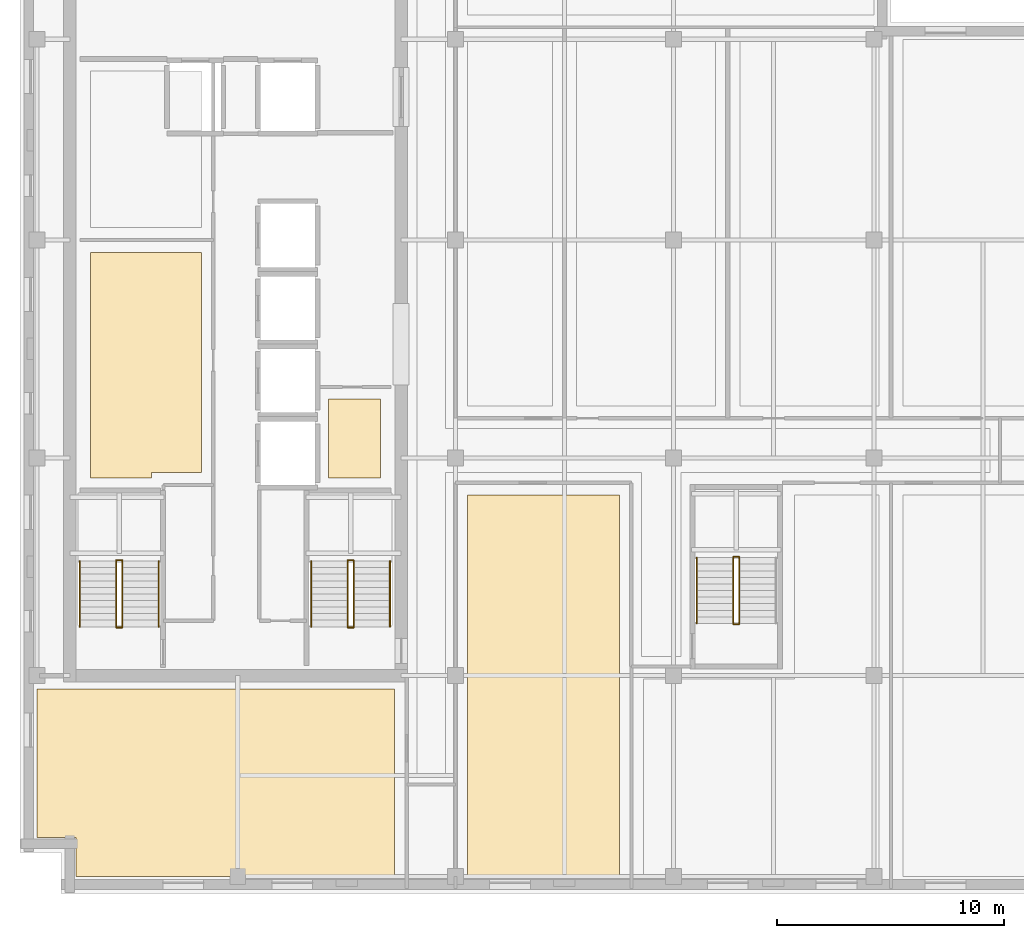
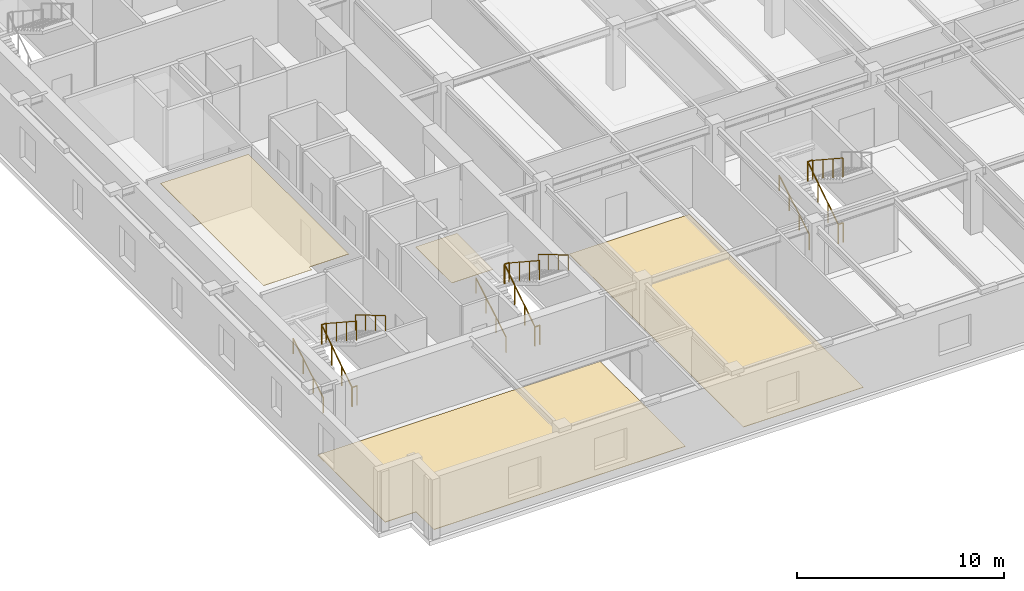
# One storey, part 8 of 11: 17 railings, 4 coverings.
"""IFC4 building model written with IfcOpenShell, lengths in metres."""

from ifc_helpers import new_model, si_unit, direction, frame, origin, origin_2d, place, context, subcontext, project, spatial, polyline, circle, outline, extrude, material, layer, layer_set, type_object, element, save


model = new_model("IFC4")

# Units and contexts
model_context = context("Model", 3, precision=1e-05, world=origin(), true_north=direction((0.0, 1.0)))
body_context = subcontext(model_context, "Body", "Model", "MODEL_VIEW")
ifc_project = project(units=[si_unit("LENGTHUNIT", "METRE"), si_unit("AREAUNIT", "SQUARE_METRE"), si_unit("VOLUMEUNIT", "CUBIC_METRE"), si_unit("PLANEANGLEUNIT", "RADIAN"), si_unit("MASSUNIT", "GRAM", prefix="KILO")], contexts=[model_context])

# Site, building, storey
site_placement = place(None, origin())
site = spatial("IfcSite", under=ifc_project, at=site_placement, CompositionType="ELEMENT")
building_placement = place(site_placement, origin())
building = spatial("IfcBuilding", under=site, at=building_placement, Name="Norrvale University Quadrangle", CompositionType="ELEMENT")
storey_placement = place(building_placement, frame((0.0, 0.0, 288.60009765625)))
storey = spatial("IfcBuildingStorey", under=building, at=storey_placement, Name="L73", CompositionType="ELEMENT", Elevation=288.60009765625)

# Coverings
ifc_material_1 = material(Name="Perforated Acoustic Mineral Ceiling")
ifc_layer_1 = layer(ifc_material_1, 0.02490234375, Name="Perforated Acoustic Mineral Ceiling")
ifc_layer_set_1 = layer_set([ifc_layer_1], Name="Perforated Acoustic Mineral Ceiling")
covering_type_1 = type_object("IfcCoveringType", Name="Covering Acoustic Ceiling 25", PredefinedType="CEILING", material=ifc_layer_set_1)
covering_1_placement = place(storey_placement, frame((0.0, 0.0, 3.514892578125)))
element("IfcCovering", 1, at=covering_1_placement, inside=storey, type_object=covering_type_1, Name="Acoustic Ceiling RM-L73-REC2", PredefinedType="CEILING", context=body_context, shape_type="SweptSolid", body=[
    extrude(outline(polyline([(3.10009765625, 18.300048828125), (3.10009765625, 28.25), (8.0, 28.25), (8.0, 18.550048828125), (5.800048828125, 18.550048828125), (5.800048828125, 18.300048828125), (3.10009765625, 18.300048828125)])), origin(), (0.0, 0.0, 1.0), 0.02490234375),
])
ifc_material_2 = material(Name="Polished Terrazzo Flooring")
ifc_layer_2 = layer(ifc_material_2, 0.02490234375, Name="Polished Terrazzo Flooring")
ifc_layer_set_2 = layer_set([ifc_layer_2], Name="Polished Terrazzo Flooring")
covering_type_2 = type_object("IfcCoveringType", Name="Covering Terrazzo Floor 30", PredefinedType="FLOORING", material=ifc_layer_set_2)
covering_2_placement = place(storey_placement, origin())
element("IfcCovering", 2, at=covering_2_placement, inside=storey, type_object=covering_type_2, Name="Terrazzo Flooring RM-L73-JAN", PredefinedType="FLOORING", context=body_context, shape_type="SweptSolid", body=[
    extrude(outline(polyline([(13.60009765625, 18.300048828125), (13.60009765625, 21.800048828125), (15.89990234375, 21.800048828125), (15.89990234375, 18.300048828125), (13.60009765625, 18.300048828125)])), origin(), (0.0, 0.0, 1.0), 0.02490234375),
])
covering_3_placement = place(storey_placement, origin())
element("IfcCovering", 3, at=covering_3_placement, inside=storey, type_object=covering_type_2, Name="Terrazzo Flooring RM-L73-SW1", PredefinedType="FLOORING", context=body_context, shape_type="SweptSolid", body=[
    extrude(outline(polyline([(0.75, 9.0), (16.5, 9.0), (16.5, 0.75), (2.469970703125, 0.75), (2.469970703125, 2.469970703125), (0.75, 2.469970703125), (0.75, 9.0)])), origin(), (0.0, 0.0, 1.0), 0.02490234375),
])
covering_4_placement = place(storey_placement, origin())
element("IfcCovering", 4, at=covering_4_placement, inside=storey, type_object=covering_type_2, Name="Terrazzo Flooring RM-L73-SE1", PredefinedType="FLOORING", context=body_context, shape_type="SweptSolid", body=[
    extrude(outline(polyline([(19.72998046875, 17.570068359375), (26.419921875, 17.570068359375), (26.419921875, 0.75), (19.72998046875, 0.75), (19.72998046875, 17.570068359375)])), origin(), (0.0, 0.0, 1.0), 0.02490234375),
])

# Railings
ifc_material_3 = material(Name="Steel 350W Painted Balustrade", Category="steel")
railing_type_1 = type_object("IfcRailingType", Name="Railing Stair Guard 1100", PredefinedType="GUARDRAIL", material=ifc_material_3)
for number, where, name in (
    (5, (4.239990234375, 11.719970703125, 0.0), "Stair Floor Well Guard ST-01 L73"),
    (6, (4.239990234375, 14.679931640625, 1.89990234375), "Stair Mid-Landing Slot Guard ST-01 L73"),
):
    element("IfcRailing", number, at=place(storey_placement, frame(where)), inside=storey, type_object=railing_type_1, Name=name, PredefinedType="GUARDRAIL", context=body_context, shape_type="SweptSolid", body=[
        extrude(circle(Radius=0.02392578125, at=origin_2d()), frame((0.0, 0.0, 1.1259765625), z_axis=(1.0, 0.0, 0.0), x_axis=(0.0, 1.0, 0.0)), (0.0, 0.0, 1.0), 0.27001953125),
        extrude(circle(Radius=0.02099609375, at=origin_2d()), origin(), (0.0, 0.0, 1.0), 1.101806640625),
        extrude(circle(Radius=0.02099609375, at=origin_2d()), frame((0.27001953125, 0.0, 0.0)), (0.0, 0.0, 1.0), 1.101806640625),
    ])
railing_1_placement = place(storey_placement, frame((4.239990234375, 11.75, 0.0)))
element("IfcRailing", 7, at=railing_1_placement, inside=storey, type_object=railing_type_1, Name="Stair Lower Flight Inner Guard ST-01 L73", PredefinedType="GUARDRAIL", context=body_context, shape_type="SweptSolid", body=[
    extrude(circle(Radius=0.02392578125, at=origin_2d()), frame((0.0, 0.0, 1.1259765625), z_axis=(0.0, 0.836465582154, 0.548019461216), x_axis=(-1.0, 0.0, 0.0)), (0.0, 0.0, 1.0), 3.466796875),
    extrude(circle(Radius=0.02099609375, at=origin_2d()), origin(), (0.0, 0.0, 1.0), 1.101806640625),
    extrude(circle(Radius=0.02099609375, at=origin_2d()), frame((0.0, 0.966552734375, 0.63330078125)), (0.0, 0.0, 1.0), 1.101806640625),
    extrude(circle(Radius=0.02099609375, at=origin_2d()), frame((0.0, 1.933349609375, 1.2666015625)), (0.0, 0.0, 1.0), 1.101806640625),
    extrude(circle(Radius=0.02099609375, at=origin_2d()), frame((0.0, 2.89990234375, 1.89990234375)), (0.0, 0.0, 1.0), 1.101806640625),
])
railing_2_placement = place(storey_placement, frame((4.510009765625, 14.64990234375, 1.89990234375)))
element("IfcRailing", 8, at=railing_2_placement, inside=storey, type_object=railing_type_1, Name="Stair Upper Flight Inner Guard ST-01 L73", PredefinedType="GUARDRAIL", context=body_context, shape_type="SweptSolid", body=[
    extrude(circle(Radius=0.02392578125, at=origin_2d()), frame((0.0, 0.0, 1.1259765625), z_axis=(0.0, -0.836465582154, 0.548019461216), x_axis=(1.0, 0.0, 0.0)), (0.0, 0.0, 1.0), 3.466796875),
    extrude(circle(Radius=0.02099609375, at=origin_2d()), origin(), (0.0, 0.0, 1.0), 1.101806640625),
    extrude(circle(Radius=0.02099609375, at=origin_2d()), frame((0.0, -0.966552734375, 0.63330078125)), (0.0, 0.0, 1.0), 1.101806640625),
    extrude(circle(Radius=0.02099609375, at=origin_2d()), frame((0.0, -1.933349609375, 1.2666015625)), (0.0, 0.0, 1.0), 1.101806640625),
    extrude(circle(Radius=0.02099609375, at=origin_2d()), frame((0.0, -2.89990234375, 1.89990234375)), (0.0, 0.0, 1.0), 1.101806640625),
])
for number, where, name in (
    (9, (14.43994140625, 11.719970703125, 0.0), "Stair Floor Well Guard ST-03 L73"),
    (10, (14.43994140625, 14.679931640625, 1.89990234375), "Stair Mid-Landing Slot Guard ST-03 L73"),
):
    element("IfcRailing", number, at=place(storey_placement, frame(where)), inside=storey, type_object=railing_type_1, Name=name, PredefinedType="GUARDRAIL", context=body_context, shape_type="SweptSolid", body=[
        extrude(circle(Radius=0.02392578125, at=origin_2d()), frame((0.0, 0.0, 1.1259765625), z_axis=(1.0, 0.0, 0.0), x_axis=(0.0, 1.0, 0.0)), (0.0, 0.0, 1.0), 0.27001953125),
        extrude(circle(Radius=0.02099609375, at=origin_2d()), origin(), (0.0, 0.0, 1.0), 1.101806640625),
        extrude(circle(Radius=0.02099609375, at=origin_2d()), frame((0.27001953125, 0.0, 0.0)), (0.0, 0.0, 1.0), 1.101806640625),
    ])
railing_3_placement = place(storey_placement, frame((14.43994140625, 11.75, 0.0)))
element("IfcRailing", 11, at=railing_3_placement, inside=storey, type_object=railing_type_1, Name="Stair Lower Flight Inner Guard ST-03 L73", PredefinedType="GUARDRAIL", context=body_context, shape_type="SweptSolid", body=[
    extrude(circle(Radius=0.02392578125, at=origin_2d()), frame((0.0, 0.0, 1.1259765625), z_axis=(0.0, 0.836465582154, 0.548019461216), x_axis=(-1.0, 0.0, 0.0)), (0.0, 0.0, 1.0), 3.466796875),
    extrude(circle(Radius=0.02099609375, at=origin_2d()), origin(), (0.0, 0.0, 1.0), 1.101806640625),
    extrude(circle(Radius=0.02099609375, at=origin_2d()), frame((0.0, 0.966552734375, 0.63330078125)), (0.0, 0.0, 1.0), 1.101806640625),
    extrude(circle(Radius=0.02099609375, at=origin_2d()), frame((0.0, 1.933349609375, 1.2666015625)), (0.0, 0.0, 1.0), 1.101806640625),
    extrude(circle(Radius=0.02099609375, at=origin_2d()), frame((0.0, 2.89990234375, 1.89990234375)), (0.0, 0.0, 1.0), 1.101806640625),
])
railing_4_placement = place(storey_placement, frame((14.7099609375, 14.64990234375, 1.89990234375)))
element("IfcRailing", 12, at=railing_4_placement, inside=storey, type_object=railing_type_1, Name="Stair Upper Flight Inner Guard ST-03 L73", PredefinedType="GUARDRAIL", context=body_context, shape_type="SweptSolid", body=[
    extrude(circle(Radius=0.02392578125, at=origin_2d()), frame((0.0, 0.0, 1.1259765625), z_axis=(0.0, -0.836465582154, 0.548019461216), x_axis=(1.0, 0.0, 0.0)), (0.0, 0.0, 1.0), 3.466796875),
    extrude(circle(Radius=0.02099609375, at=origin_2d()), origin(), (0.0, 0.0, 1.0), 1.101806640625),
    extrude(circle(Radius=0.02099609375, at=origin_2d()), frame((0.0, -0.966552734375, 0.63330078125)), (0.0, 0.0, 1.0), 1.101806640625),
    extrude(circle(Radius=0.02099609375, at=origin_2d()), frame((0.0, -1.933349609375, 1.2666015625)), (0.0, 0.0, 1.0), 1.101806640625),
    extrude(circle(Radius=0.02099609375, at=origin_2d()), frame((0.0, -2.89990234375, 1.89990234375)), (0.0, 0.0, 1.0), 1.101806640625),
])
for number, where, name in (
    (13, (31.43994140625, 11.8701171875, 0.0), "Stair Floor Well Guard ST-04 L73"),
    (14, (31.43994140625, 14.830078125, 1.89990234375), "Stair Mid-Landing Slot Guard ST-04 L73"),
):
    element("IfcRailing", number, at=place(storey_placement, frame(where)), inside=storey, type_object=railing_type_1, Name=name, PredefinedType="GUARDRAIL", context=body_context, shape_type="SweptSolid", body=[
        extrude(circle(Radius=0.02392578125, at=origin_2d()), frame((0.0, 0.0, 1.1259765625), z_axis=(1.0, 0.0, 0.0), x_axis=(0.0, 1.0, 0.0)), (0.0, 0.0, 1.0), 0.27001953125),
        extrude(circle(Radius=0.02099609375, at=origin_2d()), origin(), (0.0, 0.0, 1.0), 1.101806640625),
        extrude(circle(Radius=0.02099609375, at=origin_2d()), frame((0.27001953125, 0.0, 0.0)), (0.0, 0.0, 1.0), 1.101806640625),
    ])
railing_5_placement = place(storey_placement, frame((31.43994140625, 11.89990234375, 0.0)))
element("IfcRailing", 15, at=railing_5_placement, inside=storey, type_object=railing_type_1, Name="Stair Lower Flight Inner Guard ST-04 L73", PredefinedType="GUARDRAIL", context=body_context, shape_type="SweptSolid", body=[
    extrude(circle(Radius=0.02392578125, at=origin_2d()), frame((0.0, 0.0, 1.1259765625), z_axis=(0.0, 0.836486729621, 0.547987181573), x_axis=(-1.0, 0.0, 0.0)), (0.0, 0.0, 1.0), 3.467041015625),
    extrude(circle(Radius=0.02099609375, at=origin_2d()), origin(), (0.0, 0.0, 1.0), 1.101806640625),
    extrude(circle(Radius=0.02099609375, at=origin_2d()), frame((0.0, 0.966796875, 0.63330078125)), (0.0, 0.0, 1.0), 1.101806640625),
    extrude(circle(Radius=0.02099609375, at=origin_2d()), frame((0.0, 1.933349609375, 1.2666015625)), (0.0, 0.0, 1.0), 1.101806640625),
    extrude(circle(Radius=0.02099609375, at=origin_2d()), frame((0.0, 2.900146484375, 1.89990234375)), (0.0, 0.0, 1.0), 1.101806640625),
])
railing_6_placement = place(storey_placement, frame((31.7099609375, 14.800048828125, 1.89990234375)))
element("IfcRailing", 16, at=railing_6_placement, inside=storey, type_object=railing_type_1, Name="Stair Upper Flight Inner Guard ST-04 L73", PredefinedType="GUARDRAIL", context=body_context, shape_type="SweptSolid", body=[
    extrude(circle(Radius=0.02392578125, at=origin_2d()), frame((0.0, 0.0, 1.1259765625), z_axis=(0.0, -0.836486729621, 0.547987181573), x_axis=(1.0, 0.0, 0.0)), (0.0, 0.0, 1.0), 3.467041015625),
    extrude(circle(Radius=0.02099609375, at=origin_2d()), origin(), (0.0, 0.0, 1.0), 1.101806640625),
    extrude(circle(Radius=0.02099609375, at=origin_2d()), frame((0.0, -0.966796875, 0.63330078125)), (0.0, 0.0, 1.0), 1.101806640625),
    extrude(circle(Radius=0.02099609375, at=origin_2d()), frame((0.0, -1.933349609375, 1.2666015625)), (0.0, 0.0, 1.0), 1.101806640625),
    extrude(circle(Radius=0.02099609375, at=origin_2d()), frame((0.0, -2.900146484375, 1.89990234375)), (0.0, 0.0, 1.0), 1.101806640625),
])
ifc_material_4 = material(Name="Stainless Steel 316L Handrail", Category="steel")
railing_type_2 = type_object("IfcRailingType", Name="Railing Stair Handrail 920", PredefinedType="HANDRAIL", material=ifc_material_4)
railing_7_placement = place(storey_placement, frame((2.639892578125, 11.75, 0.172607421875)))
element("IfcRailing", 17, at=railing_7_placement, inside=storey, type_object=railing_type_2, Name="Stair Lower Flight Handrail ST-01 L73", PredefinedType="HANDRAIL", context=body_context, shape_type="SweptSolid", body=[
    extrude(circle(Radius=0.02392578125, at=origin_2d()), frame((0.0, 0.0, 0.89599609375), z_axis=(0.0, 0.859141464434, 0.511738159696), x_axis=(-1.0, 0.0, 0.0)), (0.0, 0.0, 1.0), 3.375244140625),
    extrude(circle(Radius=0.02099609375, at=origin_2d()), origin(), (0.0, 0.0, 1.0), 0.871826171875),
    extrude(circle(Radius=0.02099609375, at=origin_2d()), frame((0.0, 0.966552734375, 0.57568359375)), (0.0, 0.0, 1.0), 0.871826171875),
    extrude(circle(Radius=0.02099609375, at=origin_2d()), frame((0.0, 1.933349609375, 1.151611328125)), (0.0, 0.0, 1.0), 0.871826171875),
    extrude(circle(Radius=0.02099609375, at=origin_2d()), frame((0.0, 2.89990234375, 1.727294921875)), (0.0, 0.0, 1.0), 0.871826171875),
])
railing_8_placement = place(storey_placement, frame((6.110107421875, 14.64990234375, 2.072509765625)))
element("IfcRailing", 18, at=railing_8_placement, inside=storey, type_object=railing_type_2, Name="Stair Upper Flight Handrail ST-01 L73", PredefinedType="HANDRAIL", context=body_context, shape_type="SweptSolid", body=[
    extrude(circle(Radius=0.02392578125, at=origin_2d()), frame((0.0, 0.0, 0.89599609375), z_axis=(0.0, -0.859141464434, 0.511738159696), x_axis=(1.0, 0.0, 0.0)), (0.0, 0.0, 1.0), 3.375244140625),
    extrude(circle(Radius=0.02099609375, at=origin_2d()), origin(), (0.0, 0.0, 1.0), 0.871826171875),
    extrude(circle(Radius=0.02099609375, at=origin_2d()), frame((0.0, -0.966552734375, 0.57568359375)), (0.0, 0.0, 1.0), 0.871826171875),
    extrude(circle(Radius=0.02099609375, at=origin_2d()), frame((0.0, -1.933349609375, 1.151611328125)), (0.0, 0.0, 1.0), 0.871826171875),
    extrude(circle(Radius=0.02099609375, at=origin_2d()), frame((0.0, -2.89990234375, 1.727294921875)), (0.0, 0.0, 1.0), 0.871826171875),
])
railing_9_placement = place(storey_placement, frame((12.840087890625, 11.75, 0.172607421875)))
element("IfcRailing", 19, at=railing_9_placement, inside=storey, type_object=railing_type_2, Name="Stair Lower Flight Handrail ST-03 L73", PredefinedType="HANDRAIL", context=body_context, shape_type="SweptSolid", body=[
    extrude(circle(Radius=0.02392578125, at=origin_2d()), frame((0.0, 0.0, 0.89599609375), z_axis=(0.0, 0.859141464434, 0.511738159696), x_axis=(-1.0, 0.0, 0.0)), (0.0, 0.0, 1.0), 3.375244140625),
    extrude(circle(Radius=0.02099609375, at=origin_2d()), origin(), (0.0, 0.0, 1.0), 0.871826171875),
    extrude(circle(Radius=0.02099609375, at=origin_2d()), frame((0.0, 0.966552734375, 0.57568359375)), (0.0, 0.0, 1.0), 0.871826171875),
    extrude(circle(Radius=0.02099609375, at=origin_2d()), frame((0.0, 1.933349609375, 1.151611328125)), (0.0, 0.0, 1.0), 0.871826171875),
    extrude(circle(Radius=0.02099609375, at=origin_2d()), frame((0.0, 2.89990234375, 1.727294921875)), (0.0, 0.0, 1.0), 0.871826171875),
])
railing_10_placement = place(storey_placement, frame((16.31005859375, 14.64990234375, 2.072509765625)))
element("IfcRailing", 20, at=railing_10_placement, inside=storey, type_object=railing_type_2, Name="Stair Upper Flight Handrail ST-03 L73", PredefinedType="HANDRAIL", context=body_context, shape_type="SweptSolid", body=[
    extrude(circle(Radius=0.02392578125, at=origin_2d()), frame((0.0, 0.0, 0.89599609375), z_axis=(0.0, -0.859141464434, 0.511738159696), x_axis=(1.0, 0.0, 0.0)), (0.0, 0.0, 1.0), 3.375244140625),
    extrude(circle(Radius=0.02099609375, at=origin_2d()), origin(), (0.0, 0.0, 1.0), 0.871826171875),
    extrude(circle(Radius=0.02099609375, at=origin_2d()), frame((0.0, -0.966552734375, 0.57568359375)), (0.0, 0.0, 1.0), 0.871826171875),
    extrude(circle(Radius=0.02099609375, at=origin_2d()), frame((0.0, -1.933349609375, 1.151611328125)), (0.0, 0.0, 1.0), 0.871826171875),
    extrude(circle(Radius=0.02099609375, at=origin_2d()), frame((0.0, -2.89990234375, 1.727294921875)), (0.0, 0.0, 1.0), 0.871826171875),
])
railing_11_placement = place(storey_placement, frame((29.840087890625, 11.89990234375, 0.172607421875)))
element("IfcRailing", 21, at=railing_11_placement, inside=storey, type_object=railing_type_2, Name="Stair Lower Flight Handrail ST-04 L73", PredefinedType="HANDRAIL", context=body_context, shape_type="SweptSolid", body=[
    extrude(circle(Radius=0.02392578125, at=origin_2d()), frame((0.0, 0.0, 0.89599609375), z_axis=(0.0, 0.859160404282, 0.51170636083), x_axis=(-1.0, 0.0, 0.0)), (0.0, 0.0, 1.0), 3.37548828125),
    extrude(circle(Radius=0.02099609375, at=origin_2d()), origin(), (0.0, 0.0, 1.0), 0.871826171875),
    extrude(circle(Radius=0.02099609375, at=origin_2d()), frame((0.0, 0.966796875, 0.57568359375)), (0.0, 0.0, 1.0), 0.871826171875),
    extrude(circle(Radius=0.02099609375, at=origin_2d()), frame((0.0, 1.933349609375, 1.151611328125)), (0.0, 0.0, 1.0), 0.871826171875),
    extrude(circle(Radius=0.02099609375, at=origin_2d()), frame((0.0, 2.900146484375, 1.727294921875)), (0.0, 0.0, 1.0), 0.871826171875),
])

save(model, "model.ifc")
